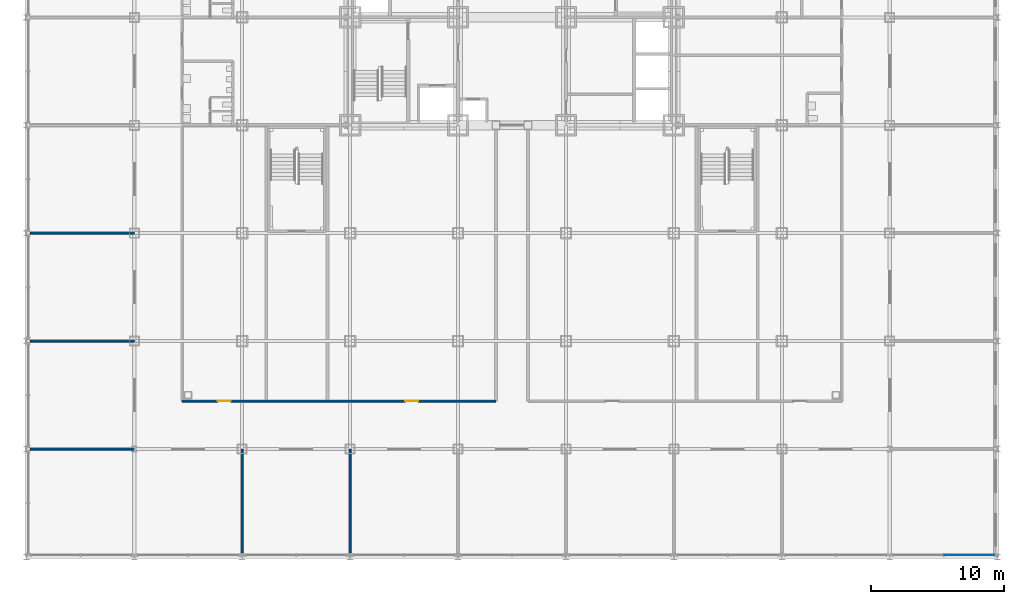
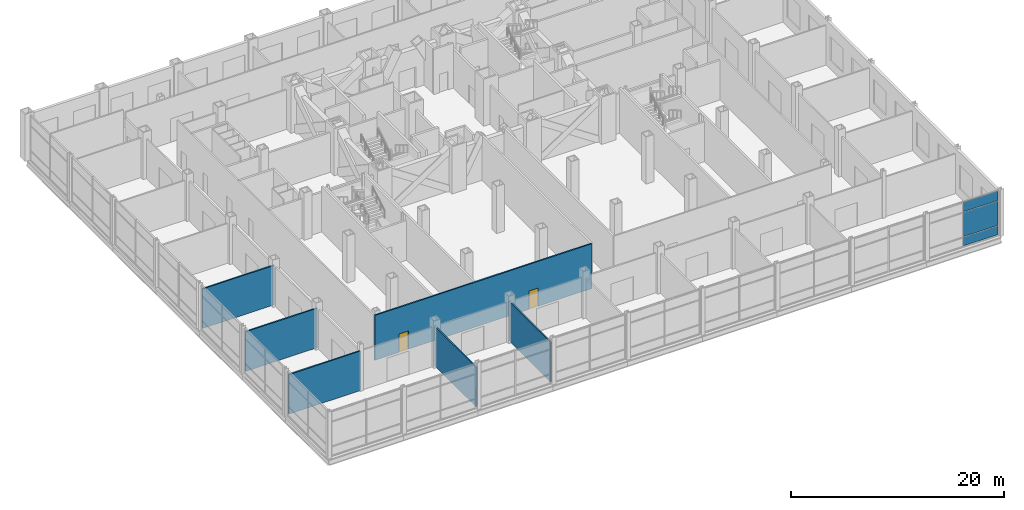
# One storey, part 20 of 30: 6 walls, 3 plates, 2 doors, 2 openings, 1 element without a shape of its own.
"""IFC4 building model written with IfcOpenShell, lengths in metres."""

from ifc_helpers import new_model, si_unit, direction, frame, frame_2d, origin, origin_2d, place, context, subcontext, project, spatial, rectangle, extrude, material, layer, layer_set, type_object, element, fill, aggregate, save


model = new_model("IFC4")

# Units and contexts
model_context = context("Model", 3, precision=1e-05, world=origin(), true_north=direction((0.0, 1.0)))
body_context = subcontext(model_context, "Body", "Model", "MODEL_VIEW")
ifc_project = project(units=[si_unit("LENGTHUNIT", "METRE"), si_unit("AREAUNIT", "SQUARE_METRE"), si_unit("VOLUMEUNIT", "CUBIC_METRE"), si_unit("PLANEANGLEUNIT", "RADIAN"), si_unit("MASSUNIT", "GRAM", prefix="KILO")], contexts=[model_context])

# Site, building, storey
site_placement = place(None, origin())
site = spatial("IfcSite", under=ifc_project, at=site_placement, CompositionType="ELEMENT")
building_placement = place(site_placement, origin())
building = spatial("IfcBuilding", under=site, at=building_placement, Name="Kopane Lantern Tower", CompositionType="ELEMENT")
storey_placement = place(building_placement, frame((0.0, 0.0, 6.0)))
storey = spatial("IfcBuildingStorey", under=building, at=storey_placement, Name="L01", CompositionType="ELEMENT", Elevation=6.0)

# Curtain wall, plates
ifc_material_1 = material(Name="Aluminium and clear glass", Category="aluminium")
curtain_wall_type = type_object("IfcCurtainWallType", Name="CURTAIN WALL CW1 PODIUM STOREFRONT", PredefinedType="USERDEFINED", material=ifc_material_1)
curtain_wall_placement = place(storey_placement, origin())
curtain_wall = element("IfcCurtainWall", 1, at=curtain_wall_placement, inside=storey, type_object=curtain_wall_type, Name="Curtain wall CW1 S L01", ObjectType="CURTAIN WALL", PredefinedType="USERDEFINED")
ifc_material_2 = material(Name="Insulated clear glass unit", Category="glass")
ifc_layer_1 = layer(ifc_material_2, 0.031982421875)
ifc_layer_set_1 = layer_set([ifc_layer_1], Name="CURTAIN PANEL CW1-P 32")
plate_type = type_object("IfcPlateType", Name="CURTAIN PANEL CW1-P 32", PredefinedType="CURTAIN_PANEL", material=ifc_layer_set_1)
plate_1_placement = place(storey_placement, frame((62.655517578125, -7.949951171875, 0.06494140625), z_axis=(0.0, 0.0, 1.0), x_axis=(1.0, 0.0, 0.0)))
plate_1 = element("IfcPlate", 2, at=plate_1_placement, type_object=plate_type, Name="CW1 panel 2.1", PredefinedType="CURTAIN_PANEL", context=body_context, shape_type="SweptSolid", body=[
    extrude(rectangle(XDim=3.74609375, YDim=0.031982421875, at=origin_2d()), origin(), (0.0, 0.0, 1.0), 1.00244140625),
])
plate_2_placement = place(storey_placement, frame((62.655517578125, -7.949951171875, 1.13232421875), z_axis=(0.0, 0.0, 1.0), x_axis=(1.0, 0.0, 0.0)))
plate_2 = element("IfcPlate", 3, at=plate_2_placement, type_object=plate_type, Name="CW1 panel 2.2", PredefinedType="CURTAIN_PANEL", context=body_context, shape_type="SweptSolid", body=[
    extrude(rectangle(XDim=3.74609375, YDim=0.031982421875, at=origin_2d()), origin(), (0.0, 0.0, 1.0), 2.784912109375),
])
plate_3_placement = place(storey_placement, frame((62.655517578125, -7.949951171875, 3.982421875), z_axis=(0.0, 0.0, 1.0), x_axis=(1.0, 0.0, 0.0)))
plate_3 = element("IfcPlate", 4, at=plate_3_placement, type_object=plate_type, Name="CW1 panel 2.3", PredefinedType="CURTAIN_PANEL", context=body_context, shape_type="SweptSolid", body=[
    extrude(rectangle(XDim=3.74609375, YDim=0.031982421875, at=origin_2d()), origin(), (0.0, 0.0, 1.0), 1.1025390625),
])
aggregate(curtain_wall, [plate_1, plate_2, plate_3])

# Wall, openings, doors
ifc_material_3 = material(Name="Gypsum board on steel studs", Category="steel")
ifc_layer_2 = layer(ifc_material_3, 0.14990234375)
ifc_layer_set_2 = layer_set([ifc_layer_2], Name="CORRIDOR WALL 150 EI 60")
wall_type_1 = type_object("IfcWallType", Name="CORRIDOR WALL 150 EI 60", PredefinedType="PARTITIONING", material=ifc_layer_set_2)
wall_placement = place(storey_placement, frame((3.60009765625, 3.60009765625, 0.0), z_axis=(0.0, 0.0, 1.0), x_axis=(1.0, 0.0, 0.0)))
wall = element("IfcWall", 5, at=wall_placement, inside=storey, type_object=wall_type_1, Name="Corridor Wall 150 Ei 60 L01", PredefinedType="PARTITIONING", context=body_context, shape_type="SweptSolid", body=[
    extrude(rectangle(XDim=23.539794921875, YDim=0.14990234375, at=frame_2d((11.77001953125, 0.0))), origin(), (0.0, 0.0, 1.0), 5.14990234375),
])
opening_1_placement = place(wall_placement, frame((2.64990234375, 0.0, 0.0)))
opening_1 = element("IfcOpeningElement", 6, at=opening_1_placement, cuts=wall, Name="Opening L01-011", PredefinedType="OPENING", context=body_context, shape_type="SweptSolid", body=[
    extrude(rectangle(XDim=1.0, YDim=2.10009765625, at=frame_2d((0.5, 1.050048828125))), frame((0.0, 0.0849609375, 0.0), z_axis=(0.0, -1.0, 0.0), x_axis=(1.0, 0.0, 0.0)), (0.0, 0.0, 1.0), 0.169921875),
])
opening_2_placement = place(wall_placement, frame((16.72509765625, 0.0, 0.0)))
opening_2 = element("IfcOpeningElement", 7, at=opening_2_placement, cuts=wall, Name="Opening L01-012", PredefinedType="OPENING", context=body_context, shape_type="SweptSolid", body=[
    extrude(rectangle(XDim=1.0, YDim=2.10009765625, at=frame_2d((0.5, 1.050048828125))), frame((0.0, 0.0849609375, 0.0), z_axis=(0.0, -1.0, 0.0), x_axis=(1.0, 0.0, 0.0)), (0.0, 0.0, 1.0), 0.169921875),
])
ifc_material_4 = material(Name="Steel door set", Category="steel")
door_type = type_object("IfcDoorType", Name="DOOR D5 1000x2100 FD60", OperationType="SINGLE_SWING_LEFT", PredefinedType="DOOR", material=ifc_material_4)
door_1_placement = place(opening_1_placement, origin())
door_1 = element("IfcDoor", 8, at=door_1_placement, inside=storey, type_object=door_type, Name="Door L01-011", OperationType="SINGLE_SWING_LEFT", OverallHeight=2.10009765625, OverallWidth=1.0, PredefinedType="DOOR", context=body_context, shape_type="SweptSolid", body=[
    extrude(rectangle(XDim=1.0, YDim=2.10009765625, at=frame_2d((0.5, 1.050048828125))), frame((0.0, 0.02490234375, 0.0), z_axis=(0.0, -1.0, 0.0), x_axis=(1.0, 0.0, 0.0)), (0.0, 0.0, 1.0), 0.050048828125),
])
fill(opening_1, door_1)
door_2_placement = place(opening_2_placement, origin())
door_2 = element("IfcDoor", 9, at=door_2_placement, inside=storey, type_object=door_type, Name="Door L01-012", OperationType="SINGLE_SWING_RIGHT", OverallHeight=2.10009765625, OverallWidth=1.0, PredefinedType="DOOR", context=body_context, shape_type="SweptSolid", body=[
    extrude(rectangle(XDim=1.0, YDim=2.10009765625, at=frame_2d((0.5, 1.050048828125))), frame((0.0, 0.02490234375, 0.0), z_axis=(0.0, -1.0, 0.0), x_axis=(1.0, 0.0, 0.0)), (0.0, 0.0, 1.0), 0.050048828125),
])
fill(opening_2, door_2)

# Walls
ifc_material_5 = material(Name="Gypsum board on steel studs", Category="steel")
ifc_layer_3 = layer(ifc_material_5, 0.14990234375)
ifc_layer_set_3 = layer_set([ifc_layer_3], Name="DEMISING WALL 150 EI 60")
wall_type_2 = type_object("IfcWallType", Name="DEMISING WALL 150 EI 60", PredefinedType="PARTITIONING", material=ifc_layer_set_3)
for number, where, z_axis, x_axis, name in (
    (10, (16.199951171875, 0.0, 0.0), (0.0, 0.0, 1.0), (0.0, -1.0, 0.0), "Demising Wall 150 Ei 60 L01"),
    (11, (0.0, 8.10009765625, 0.0), (0.0, 0.0, 1.0), (-1.0, 0.0, 0.0), "Demising Wall 150 Ei 60 L01"),
    (12, (0.0, 16.199951171875, 0.0), (0.0, 0.0, 1.0), (-1.0, 0.0, 0.0), "Demising Wall 150 Ei 60 L01"),
    (13, (-7.800048828125, 0.0, 0.0), (0.0, 0.0, 1.0), (1.0, 0.0, 0.0), "Demising Wall 150 Ei 60 L01"),
    (14, (8.10009765625, 0.0, 0.0), (0.0, 0.0, 1.0), (0.0, -1.0, 0.0), "Demising Wall 150 Ei 60 L01"),
):
    element("IfcWall", number, at=place(storey_placement, frame(where, z_axis=z_axis, x_axis=x_axis)), inside=storey, type_object=wall_type_2, Name=name, PredefinedType="PARTITIONING", context=body_context, shape_type="SweptSolid", body=[
        extrude(rectangle(XDim=7.800048828125, YDim=0.14990234375, at=frame_2d((3.89990234375, 0.0))), origin(), (0.0, 0.0, 1.0), 4.537841796875),
    ])

save(model, "model.ifc")
